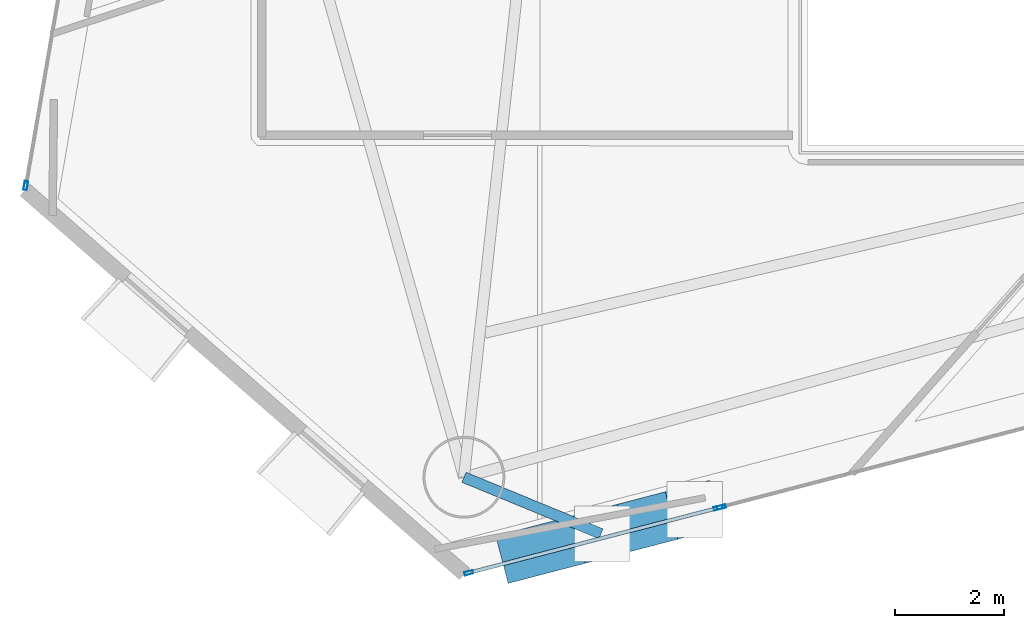
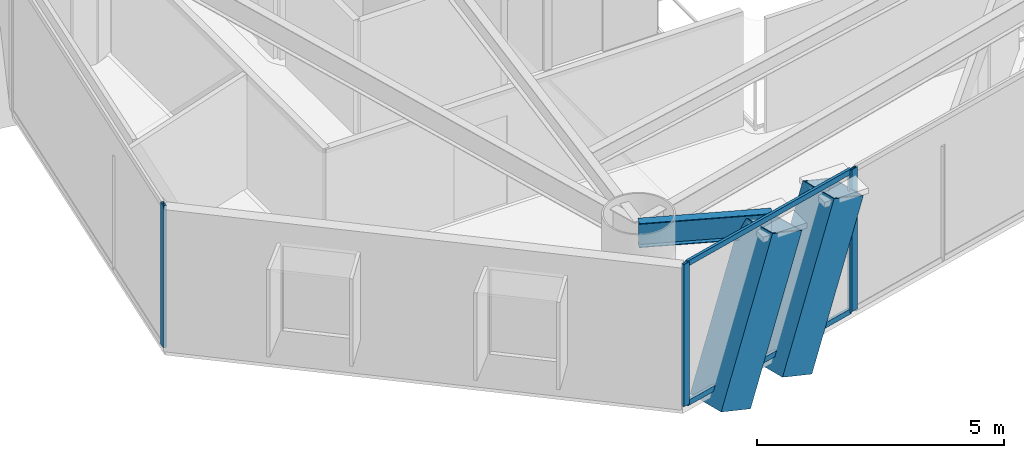
# One storey, part 2 of 21: 8 members, 1 beam, 3 elements without a shape of their own.
"""IFC4 building model written with IfcOpenShell, lengths in metres."""

from ifc_helpers import new_model, si_unit, direction, frame, origin, origin_2d, place, context, subcontext, project, spatial, hollow_rectangle, i_section, extrude, material, layer, layer_set, material_profile, profile_set, type_object, element, aggregate, save


model = new_model("IFC4")

# Units and contexts
model_context = context("Model", 3, precision=1e-05, world=origin(), true_north=direction((0.0, 1.0)))
body_context = subcontext(model_context, "Body", "Model", "MODEL_VIEW")
ifc_project = project(units=[si_unit("LENGTHUNIT", "METRE"), si_unit("AREAUNIT", "SQUARE_METRE"), si_unit("VOLUMEUNIT", "CUBIC_METRE"), si_unit("PLANEANGLEUNIT", "RADIAN"), si_unit("MASSUNIT", "GRAM", prefix="KILO")], contexts=[model_context])

# Site, building, storey
site_placement = place(None, origin())
site = spatial("IfcSite", under=ifc_project, at=site_placement, CompositionType="ELEMENT")
building_placement = place(site_placement, origin())
building = spatial("IfcBuilding", under=site, at=building_placement, Name="Qianvela Tower", CompositionType="ELEMENT")
storey_placement = place(building_placement, frame((0.0, 0.0, 105.199951171875)))
storey = spatial("IfcBuildingStorey", under=building, at=storey_placement, Name="L26", CompositionType="ELEMENT", Elevation=105.199951171875)

# Beam
ifc_material_1 = material(Name="Steel Q355B", Category="steel")
ifc_material_profile_1 = material_profile(ifc_material_1, i_section(OverallWidth=0.199951171875, OverallDepth=0.60009765625, WebThickness=0.010986328125, FlangeThickness=0.01708984375, at=origin_2d()), Name="HN600x200x11x17")
ifc_profile_set_1 = profile_set([ifc_material_profile_1], Name="Steel Q355B")
beam_type = type_object("IfcBeamType", Name="BM-HN600-GIRD", PredefinedType="BEAM", material=ifc_profile_set_1)
beam_placement = place(storey_placement, frame((27.2919921875, 11.908935546875, 3.218017578125), z_axis=(0.924466256652, -0.381263872288, 0.0), x_axis=(0.381263872288, 0.924466256652, 0.0)))
element("IfcBeam", 1, at=beam_placement, inside=storey, type_object=beam_type, Name="L26 Mega-Brace Column Tie Bracket F3-1", PredefinedType="BEAM", context=body_context, shape_type="SweptSolid", body=[
    extrude(i_section(OverallWidth=0.199951171875, OverallDepth=0.60009765625, WebThickness=0.010986328125, FlangeThickness=0.01708984375, at=origin_2d()), origin(), (0.0, 0.0, 1.0), 2.72265625),
])

# Curtain wall, members
ifc_material_2 = material(Name="Anodised Architectural Aluminium and Insulated Spandrel Panel", Category="aluminium")
ifc_layer_1 = layer(ifc_material_2, 0.179931640625)
ifc_layer_set_1 = layer_set([ifc_layer_1], Name="Anodised Architectural Aluminium and Insulated Spandrel Panel")
curtain_wall_type_1 = type_object("IfcCurtainWallType", Name="CW-BRACEBAY", PredefinedType="USERDEFINED", material=ifc_layer_set_1)
curtain_wall_1_placement = place(storey_placement, origin())
curtain_wall_1 = element("IfcCurtainWall", 2, at=curtain_wall_1_placement, inside=storey, type_object=curtain_wall_type_1, Name="L26 CW-BRACEBAY Curtain Wall 06A", ObjectType="CURTAIN_WALL_SYSTEM", PredefinedType="USERDEFINED")
ifc_material_3 = material(Name="Anodised Architectural Aluminium 6063-T6", Category="aluminium")
ifc_material_profile_2 = material_profile(ifc_material_3, hollow_rectangle(XDim=0.06494140625, YDim=0.159912109375, WallThickness=0.0048828125, at=origin_2d()), Name="ALU-MULL-65x160")
ifc_profile_set_2 = profile_set([ifc_material_profile_2], Name="Anodised Architectural Aluminium 6063-T6")
member_type_1 = type_object("IfcMemberType", Name="CW-BRACEBAY-MULL", PredefinedType="MULLION", material=ifc_profile_set_2)
member_1_placement = place(storey_placement, frame((27.380859375, 10.156005859375, 0.0), z_axis=(0.0, 0.0, 1.0), x_axis=(-0.251940850417, 0.967742635152, 0.0)))
member_1 = element("IfcMember", 3, at=member_1_placement, type_object=member_type_1, Name="CW-9 mullion 1", PredefinedType="MULLION", context=body_context, shape_type="SweptSolid", body=[
    extrude(hollow_rectangle(XDim=0.06494140625, YDim=0.159912109375, WallThickness=0.0048828125, at=origin_2d()), origin(), (0.0, 0.0, 1.0), 3.52001953125),
])
member_2_placement = place(storey_placement, frame((31.953369140625, 11.346435546875, 0.0), z_axis=(0.0, 0.0, 1.0), x_axis=(-0.251940850417, 0.967742635152, 0.0)))
member_2 = element("IfcMember", 4, at=member_2_placement, type_object=member_type_1, Name="CW-9 mullion 2", PredefinedType="MULLION", context=body_context, shape_type="SweptSolid", body=[
    extrude(hollow_rectangle(XDim=0.06494140625, YDim=0.159912109375, WallThickness=0.0048828125, at=origin_2d()), origin(), (0.0, 0.0, 1.0), 3.52001953125),
])
ifc_material_4 = material(Name="Anodised Architectural Aluminium 6063-T6", Category="aluminium")
ifc_material_profile_3 = material_profile(ifc_material_4, hollow_rectangle(XDim=0.06494140625, YDim=0.1298828125, WallThickness=0.00439453125, at=origin_2d()), Name="ALU-TRAN-65x130")
ifc_profile_set_3 = profile_set([ifc_material_profile_3], Name="Anodised Architectural Aluminium 6063-T6")
member_type_2 = type_object("IfcMemberType", Name="CW-BRACEBAY-TRAN", PredefinedType="USERDEFINED", material=ifc_profile_set_3)
member_3_placement = place(storey_placement, frame((27.412353515625, 10.1640625, 0.032470703125), z_axis=(0.96773900664, 0.251954787664, 0.0), x_axis=(-0.251954787664, 0.96773900664, 0.0)))
member_3 = element("IfcMember", 5, at=member_3_placement, type_object=member_type_2, Name="CW-9 transom 1.1", ObjectType="TRANSOM", PredefinedType="USERDEFINED", context=body_context, shape_type="SweptSolid", body=[
    extrude(hollow_rectangle(XDim=0.06494140625, YDim=0.1298828125, WallThickness=0.00439453125, at=origin_2d()), origin(), (0.0, 0.0, 1.0), 4.659912109375),
])
member_4_placement = place(storey_placement, frame((27.412353515625, 10.1640625, 3.487548828125), z_axis=(0.96773900664, 0.251954787664, 0.0), x_axis=(-0.251954787664, 0.96773900664, 0.0)))
member_4 = element("IfcMember", 6, at=member_4_placement, type_object=member_type_2, Name="CW-9 transom 1.2", ObjectType="TRANSOM", PredefinedType="USERDEFINED", context=body_context, shape_type="SweptSolid", body=[
    extrude(hollow_rectangle(XDim=0.06494140625, YDim=0.1298828125, WallThickness=0.00439453125, at=origin_2d()), origin(), (0.0, 0.0, 1.0), 4.659912109375),
])
aggregate(curtain_wall_1, [member_1, member_2, member_3, member_4])

# Curtain wall, member
ifc_material_5 = material(Name="Anodised Architectural Aluminium and Low-E Glass", Category="aluminium")
ifc_layer_2 = layer(ifc_material_5, 0.169921875)
ifc_layer_set_2 = layer_set([ifc_layer_2], Name="Anodised Architectural Aluminium and Low-E Glass")
curtain_wall_type_2 = type_object("IfcCurtainWallType", Name="CW-COLIV-Z34", PredefinedType="USERDEFINED", material=ifc_layer_set_2)
curtain_wall_2_placement = place(storey_placement, origin())
curtain_wall_2 = element("IfcCurtainWall", 7, at=curtain_wall_2_placement, inside=storey, type_object=curtain_wall_type_2, Name="L26 CW-COLIV-Z34 Curtain Wall 04C", ObjectType="CURTAIN_WALL_SYSTEM", PredefinedType="USERDEFINED")
ifc_material_6 = material(Name="Anodised Architectural Aluminium 6063-T6", Category="aluminium")
ifc_material_profile_4 = material_profile(ifc_material_6, hollow_rectangle(XDim=0.06494140625, YDim=0.159912109375, WallThickness=0.0048828125, at=origin_2d()), Name="ALU-MULL-65x160")
ifc_profile_set_4 = profile_set([ifc_material_profile_4], Name="Anodised Architectural Aluminium 6063-T6")
member_type_3 = type_object("IfcMemberType", Name="CW-COLIV-Z34-MULL", PredefinedType="MULLION", material=ifc_profile_set_4)
member_5_placement = place(storey_placement, frame((19.25390625, 17.260009765625, 0.0), z_axis=(0.0, 0.0, 1.0), x_axis=(0.985526753721, -0.16951996254, 0.0)))
member_5 = element("IfcMember", 8, at=member_5_placement, type_object=member_type_3, Name="CW-4 mullion 2", PredefinedType="MULLION", context=body_context, shape_type="SweptSolid", body=[
    extrude(hollow_rectangle(XDim=0.06494140625, YDim=0.159912109375, WallThickness=0.0048828125, at=origin_2d()), origin(), (0.0, 0.0, 1.0), 3.52001953125),
])
aggregate(curtain_wall_2, [member_5])

curtain_wall_3_placement = place(storey_placement, origin())
curtain_wall_3 = element("IfcCurtainWall", 9, at=curtain_wall_3_placement, inside=storey, type_object=curtain_wall_type_2, Name="L26 CW-COLIV-Z34 Curtain Wall 06B", ObjectType="CURTAIN_WALL_SYSTEM", PredefinedType="USERDEFINED")
member_6_placement = place(storey_placement, frame((32.016357421875, 11.36279296875, 0.0), z_axis=(0.0, 0.0, 1.0), x_axis=(-0.25195021381, 0.96774019745, 0.0)))
member_6 = element("IfcMember", 10, at=member_6_placement, type_object=member_type_3, Name="CW-4 mullion 1", PredefinedType="MULLION", context=body_context, shape_type="SweptSolid", body=[
    extrude(hollow_rectangle(XDim=0.06494140625, YDim=0.159912109375, WallThickness=0.0048828125, at=origin_2d()), origin(), (0.0, 0.0, 1.0), 3.52001953125),
])
aggregate(curtain_wall_3, [member_6])

# Members
ifc_material_7 = material(Name="Steel Q420GJC", Category="steel")
ifc_material_profile_5 = material_profile(ifc_material_7, hollow_rectangle(XDim=0.89990234375, YDim=0.89990234375, WallThickness=0.035888671875, at=origin_2d()), Name="MBOX-900x900x36")
ifc_profile_set_5 = profile_set([ifc_material_profile_5], Name="Steel Q420GJC")
member_type_4 = type_object("IfcMemberType", Name="MBR-MBRACE-900", PredefinedType="BRACE", material=ifc_profile_set_5)
member_7_placement = place(storey_placement, frame((28.393798828125, 10.50244140625, -0.48193359375), z_axis=(0.355733678799, 0.092599986425, 0.929988597931), x_axis=(-0.251912178628, 0.967750099075, 0.0)))
element("IfcMember", 11, at=member_7_placement, inside=storey, type_object=member_type_4, Name="L26 Tier 4 Exterior Mega-Brace F3A", PredefinedType="BRACE", context=body_context, shape_type="SweptSolid", body=[
    extrude(hollow_rectangle(XDim=0.89990234375, YDim=0.89990234375, WallThickness=0.035888671875, at=origin_2d()), origin(), (0.0, 0.0, 1.0), 3.978515625),
])
member_8_placement = place(storey_placement, frame((30.084716796875, 10.942626953125, -0.48193359375), z_axis=(0.356846316653, 0.092922339245, 0.92953006684), x_axis=(-0.25199529336, 0.967728459912, 0.0)))
element("IfcMember", 12, at=member_8_placement, inside=storey, type_object=member_type_4, Name="L26 Tier 4 Exterior Mega-Brace F3B", PredefinedType="BRACE", context=body_context, shape_type="SweptSolid", body=[
    extrude(hollow_rectangle(XDim=0.89990234375, YDim=0.89990234375, WallThickness=0.035888671875, at=origin_2d()), origin(), (0.0, 0.0, 1.0), 3.98046875),
])

save(model, "model.ifc")
